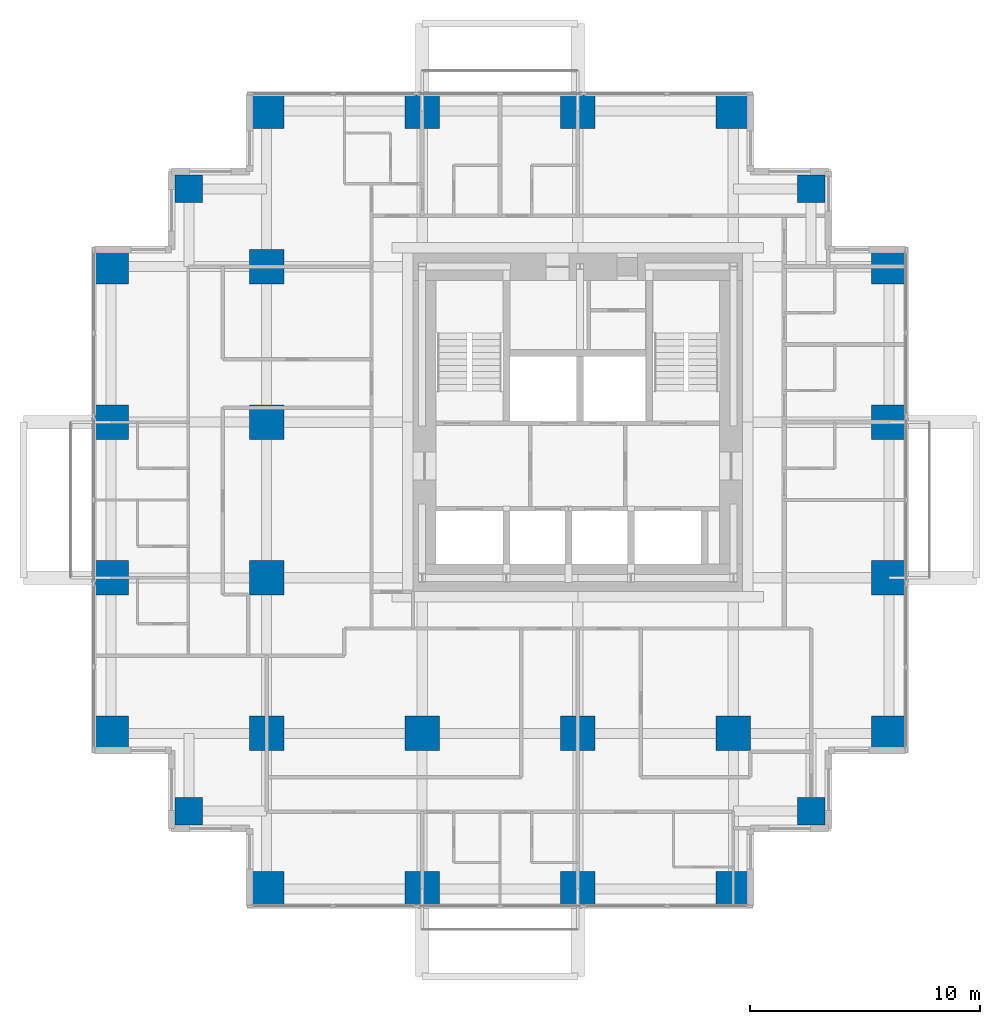
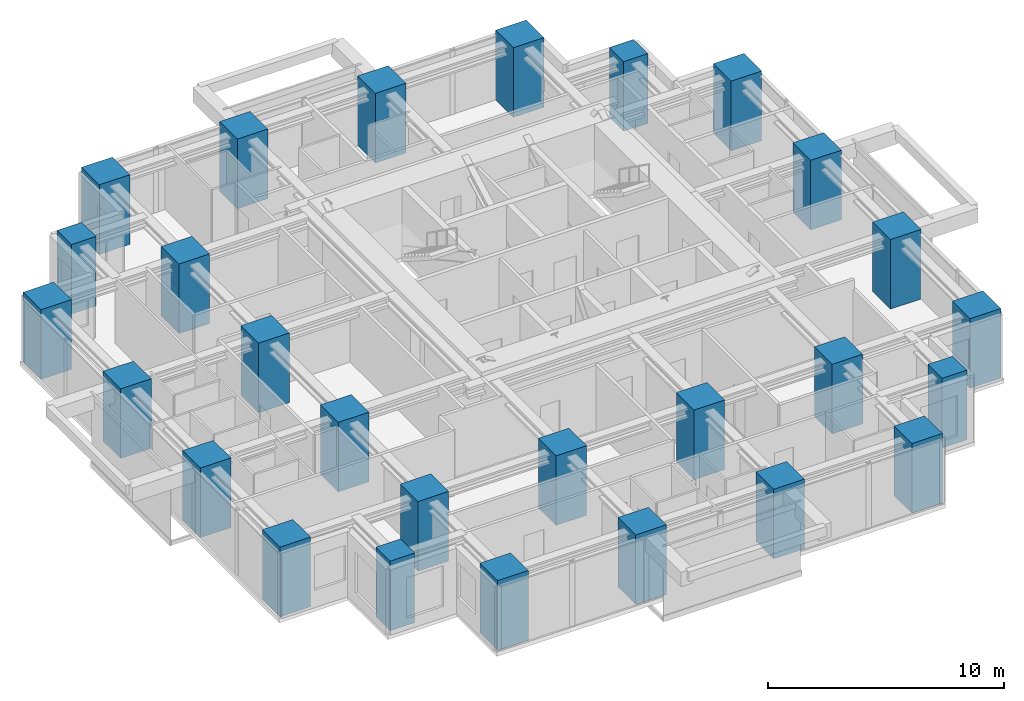
# One storey, part 1 of 10: 27 columns.
"""IFC4 building model written with IfcOpenShell, lengths in metres."""

from ifc_helpers import new_model, si_unit, direction, frame, origin, origin_2d, place, context, subcontext, project, spatial, rectangle, extrude, material, material_profile, profile_set, type_object, element, save


model = new_model("IFC4")

# Units and contexts
model_context = context("Model", 3, precision=1e-05, world=origin(), true_north=direction((0.0, 1.0)))
body_context = subcontext(model_context, "Body", "Model", "MODEL_VIEW")
ifc_project = project(units=[si_unit("LENGTHUNIT", "METRE"), si_unit("AREAUNIT", "SQUARE_METRE"), si_unit("VOLUMEUNIT", "CUBIC_METRE"), si_unit("PLANEANGLEUNIT", "RADIAN"), si_unit("MASSUNIT", "GRAM", prefix="KILO")], contexts=[model_context])

# Site, building, storey
site_placement = place(None, origin())
site = spatial("IfcSite", under=ifc_project, at=site_placement, CompositionType="ELEMENT")
building_placement = place(site_placement, origin())
building = spatial("IfcBuilding", under=site, at=building_placement, Name="Nyansa Garden Tower", CompositionType="ELEMENT")
storey_placement = place(building_placement, frame((0.0, 0.0, 167.39990234375)))
storey = spatial("IfcBuildingStorey", under=building, at=storey_placement, Name="L45", CompositionType="ELEMENT", Elevation=167.39990234375)

# Columns
ifc_material_1 = material(Name="Concrete C70/85", Category="concrete")
ifc_material_profile_1 = material_profile(ifc_material_1, rectangle(XDim=1.199951171875, YDim=1.199951171875, at=origin_2d()), Name="RC 1200x1200")
ifc_profile_set_1 = profile_set([ifc_material_profile_1], Name="Concrete C70/85")
column_type_1 = type_object("IfcColumnType", Name="Column C120 RC 1200x1200", PredefinedType="COLUMN", material=ifc_profile_set_1)
for number, where, z_axis, x_axis, name in (
    (1, (3.375, 3.375, 0.0), (0.0, 0.0, 1.0), (1.0, 0.0, 0.0), "Column x3.375/y3.375 L45"),
    (2, (3.375, 30.375, 0.0), (0.0, 0.0, 1.0), (1.0, 0.0, 0.0), "Column x3.375/y30.375 L45"),
    (3, (30.375, 3.375, 0.0), (0.0, 0.0, 1.0), (1.0, 0.0, 0.0), "Column x30.375/y3.375 L45"),
    (4, (30.375, 30.375, 0.0), (0.0, 0.0, 1.0), (1.0, 0.0, 0.0), "Column x30.375/y30.375 L45"),
):
    element("IfcColumn", number, at=place(storey_placement, frame(where, z_axis=z_axis, x_axis=x_axis)), inside=storey, type_object=column_type_1, Name=name, PredefinedType="COLUMN", context=body_context, shape_type="SweptSolid", body=[
        extrude(rectangle(XDim=1.199951171875, YDim=1.199951171875, at=origin_2d()), origin(), (0.0, 0.0, 1.0), 3.60009765625),
    ])
ifc_material_2 = material(Name="Concrete C80/95", Category="concrete")
ifc_material_profile_2 = material_profile(ifc_material_2, rectangle(XDim=1.5, YDim=1.5, at=origin_2d()), Name="RC 1500x1500")
ifc_profile_set_2 = profile_set([ifc_material_profile_2], Name="Concrete C80/95")
column_type_2 = type_object("IfcColumnType", Name="Column C150 RC 1500x1500", PredefinedType="COLUMN", material=ifc_profile_set_2)
for number, where, z_axis, x_axis, name in (
    (5, (0.0, 6.75, 0.0), (0.0, 0.0, 1.0), (1.0, 0.0, 0.0), "Column 2/E L45"),
    (6, (0.0, 13.5, 0.0), (0.0, 0.0, 1.0), (1.0, 0.0, 0.0), "Column 2/F L45"),
    (7, (0.0, 20.25, 0.0), (0.0, 0.0, 1.0), (1.0, 0.0, 0.0), "Column 2/G L45"),
    (8, (0.0, 27.0, 0.0), (0.0, 0.0, 1.0), (1.0, 0.0, 0.0), "Column 2/H L45"),
    (9, (6.75, 0.0, 0.0), (0.0, 0.0, 1.0), (1.0, 0.0, 0.0), "Column 3/D L45"),
    (10, (6.75, 6.75, 0.0), (0.0, 0.0, 1.0), (1.0, 0.0, 0.0), "Column 3/E L45"),
    (11, (6.75, 13.5, 0.0), (0.0, 0.0, 1.0), (1.0, 0.0, 0.0), "Column 3/F L45"),
    (12, (6.75, 20.25, 0.0), (0.0, 0.0, 1.0), (1.0, 0.0, 0.0), "Column 3/G L45"),
    (13, (6.75, 27.0, 0.0), (0.0, 0.0, 1.0), (1.0, 0.0, 0.0), "Column 3/H L45"),
    (14, (6.75, 33.75, 0.0), (0.0, 0.0, 1.0), (1.0, 0.0, 0.0), "Column 3/J L45"),
    (15, (13.5, 0.0, 0.0), (0.0, 0.0, 1.0), (1.0, 0.0, 0.0), "Column 4/D L45"),
    (16, (13.5, 6.75, 0.0), (0.0, 0.0, 1.0), (1.0, 0.0, 0.0), "Column 4/E L45"),
    (17, (13.5, 33.75, 0.0), (0.0, 0.0, 1.0), (1.0, 0.0, 0.0), "Column 4/J L45"),
    (18, (20.25, 0.0, 0.0), (0.0, 0.0, 1.0), (1.0, 0.0, 0.0), "Column 5/D L45"),
    (19, (20.25, 6.75, 0.0), (0.0, 0.0, 1.0), (1.0, 0.0, 0.0), "Column 5/E L45"),
    (20, (20.25, 33.75, 0.0), (0.0, 0.0, 1.0), (1.0, 0.0, 0.0), "Column 5/J L45"),
    (21, (27.0, 0.0, 0.0), (0.0, 0.0, 1.0), (1.0, 0.0, 0.0), "Column 6/D L45"),
    (22, (27.0, 6.75, 0.0), (0.0, 0.0, 1.0), (1.0, 0.0, 0.0), "Column 6/E L45"),
    (23, (27.0, 33.75, 0.0), (0.0, 0.0, 1.0), (1.0, 0.0, 0.0), "Column 6/J L45"),
    (24, (33.75, 6.75, 0.0), (0.0, 0.0, 1.0), (1.0, 0.0, 0.0), "Column 7/E L45"),
    (25, (33.75, 13.5, 0.0), (0.0, 0.0, 1.0), (1.0, 0.0, 0.0), "Column 7/F L45"),
    (26, (33.75, 20.25, 0.0), (0.0, 0.0, 1.0), (1.0, 0.0, 0.0), "Column 7/G L45"),
    (27, (33.75, 27.0, 0.0), (0.0, 0.0, 1.0), (1.0, 0.0, 0.0), "Column 7/H L45"),
):
    element("IfcColumn", number, at=place(storey_placement, frame(where, z_axis=z_axis, x_axis=x_axis)), inside=storey, type_object=column_type_2, Name=name, PredefinedType="COLUMN", context=body_context, shape_type="SweptSolid", body=[
        extrude(rectangle(XDim=1.5, YDim=1.5, at=origin_2d()), origin(), (0.0, 0.0, 1.0), 3.60009765625),
    ])

save(model, "model.ifc")
